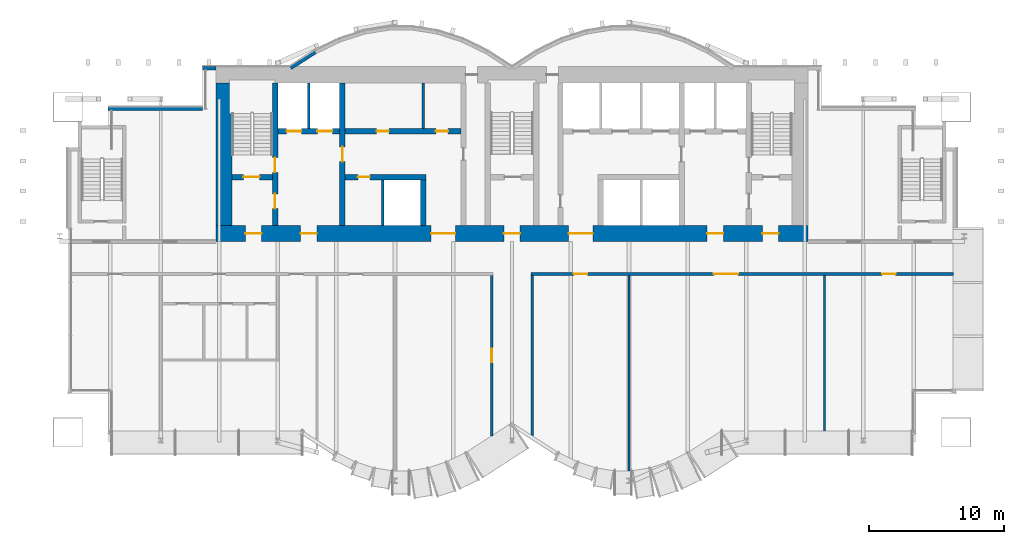
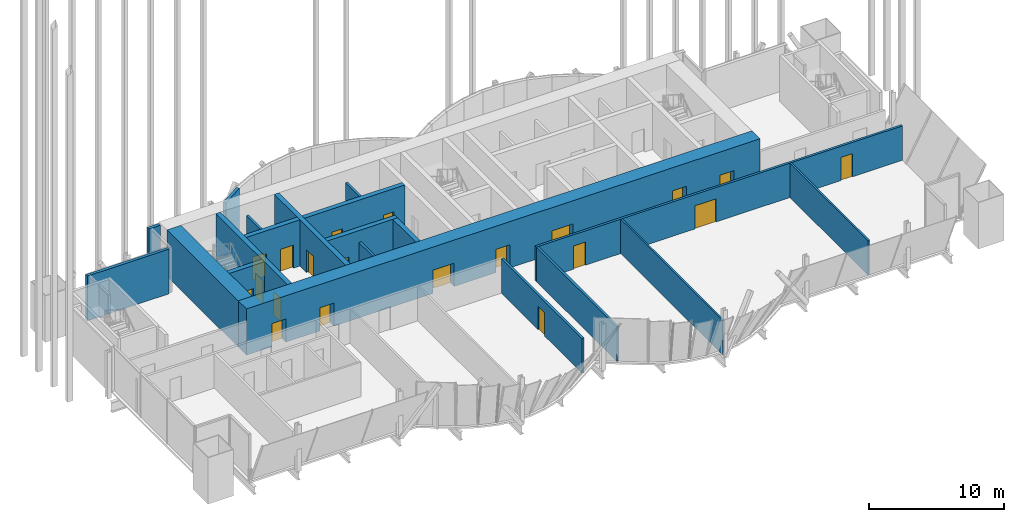
# One storey, part 24 of 28: 20 doors, 19 walls, 20 openings.
"""IFC4 building model written with IfcOpenShell, lengths in metres."""

from ifc_helpers import new_model, si_unit, direction, frame, frame_2d, origin, place, context, subcontext, project, spatial, rectangle, extrude, material, layer, layer_set, layer_usage, type_object, element, fill, save


model = new_model("IFC4")

# Units and contexts
model_context = context("Model", 3, precision=1e-05, world=origin(), true_north=direction((0.0, 1.0)))
body_context = subcontext(model_context, "Body", "Model", "MODEL_VIEW")
ifc_project = project(units=[si_unit("LENGTHUNIT", "METRE"), si_unit("AREAUNIT", "SQUARE_METRE"), si_unit("VOLUMEUNIT", "CUBIC_METRE"), si_unit("PLANEANGLEUNIT", "RADIAN"), si_unit("MASSUNIT", "GRAM", prefix="KILO")], contexts=[model_context])

# Site, building, storey
site_placement = place(None, origin())
site = spatial("IfcSite", under=ifc_project, at=site_placement, CompositionType="ELEMENT")
building_placement = place(site_placement, origin())
building = spatial("IfcBuilding", under=site, at=building_placement, Name="Bicima Exchange Tower", CompositionType="ELEMENT")
storey_placement = place(building_placement, frame((0.0, 0.0, 241.39990234375)))
storey = spatial("IfcBuildingStorey", under=building, at=storey_placement, Name="L54", CompositionType="ELEMENT", Elevation=241.39990234375)

# Walls
ifc_material_1 = material(Name="Gypsum board partition")
ifc_layer_1 = layer(ifc_material_1, 0.199951171875)
ifc_layer_set_1 = layer_set([ifc_layer_1], Name="Gypsum board partition")
wall_type_1 = type_object("IfcWallType", Name="Fire-rated gypsum partition 200 EI120", PredefinedType="PARTITIONING", material=ifc_layer_set_1)
for number, where, z_axis, x_axis, name in (
    (1, (-15.10009765625, -4.60009765625, 0.0), (0.0, 0.0, 1.0), (0.0, 1.0, 0.0), "partition wall 9"),
    (2, (-9.60009765625, -11.800048828125, 0.0), (0.0, 0.0, 1.0), (0.0, 1.0, 0.0), "partition wall 11"),
):
    element("IfcWall", number, at=place(storey_placement, frame(where, z_axis=z_axis, x_axis=x_axis)), inside=storey, type_object=wall_type_1, Name=name, PredefinedType="PARTITIONING", context=body_context, shape_type="SweptSolid", body=[
        extrude(rectangle(XDim=3.400146484375, YDim=0.199951171875, at=frame_2d((1.7001953125, 0.0))), origin(), (0.0, 0.0, 1.0), 3.1181640625),
    ])

# Wall, openings, doors
ifc_layer_2 = layer(ifc_material_1, 0.199951171875)
ifc_layer_set_2 = layer_set([ifc_layer_2], Name="Gypsum board partition")
wall_type_2 = type_object("IfcWallType", Name="Fire-rated gypsum partition 200 EI60", PredefinedType="PARTITIONING", material=ifc_layer_set_2)
wall_1_placement = place(storey_placement, frame((1.39990234375, -15.39990234375, 0.0), z_axis=(0.0, 0.0, 1.0), x_axis=(1.0, 0.0, 0.0)))
wall_1 = element("IfcWall", 3, at=wall_1_placement, inside=storey, type_object=wall_type_2, Name="partition wall 4", PredefinedType="PARTITIONING", context=body_context, shape_type="SweptSolid", body=[
    extrude(rectangle(XDim=31.39013671875, YDim=0.199951171875, at=frame_2d((15.695068359375, 0.0))), origin(), (0.0, 0.0, 1.0), 3.1181640625),
])
opening_1_placement = place(wall_1_placement, frame((3.199951171875, 0.0, 0.0)))
opening_1 = element("IfcOpeningElement", 4, at=opening_1_placement, cuts=wall_1, Name="Opening L54-015", PredefinedType="OPENING", context=body_context, shape_type="SweptSolid", body=[
    extrude(rectangle(XDim=1.0, YDim=2.10009765625, at=frame_2d((0.5, 1.050048828125))), frame((0.0, 0.11181640625, 0.0), z_axis=(0.0, -1.0, 0.0), x_axis=(1.0, 0.0, 0.0)), (0.0, 0.0, 1.0), 0.223876953125),
])
opening_2_placement = place(wall_1_placement, frame((13.60009765625, 0.0, 0.0)))
opening_2 = element("IfcOpeningElement", 5, at=opening_2_placement, cuts=wall_1, Name="Opening L54-016", PredefinedType="OPENING", context=body_context, shape_type="SweptSolid", body=[
    extrude(rectangle(XDim=1.800048828125, YDim=2.10009765625, at=frame_2d((0.89990234375, 1.050048828125))), frame((0.0, 0.11181640625, 0.0), z_axis=(0.0, -1.0, 0.0), x_axis=(1.0, 0.0, 0.0)), (0.0, 0.0, 1.0), 0.223876953125),
])
opening_3_placement = place(wall_1_placement, frame((26.10009765625, 0.0, 0.0)))
opening_3 = element("IfcOpeningElement", 6, at=opening_3_placement, cuts=wall_1, Name="Opening L54-017", PredefinedType="OPENING", context=body_context, shape_type="SweptSolid", body=[
    extrude(rectangle(XDim=1.0, YDim=2.10009765625, at=frame_2d((0.5, 1.050048828125))), frame((0.0, 0.11181640625, 0.0), z_axis=(0.0, -1.0, 0.0), x_axis=(1.0, 0.0, 0.0)), (0.0, 0.0, 1.0), 0.223876953125),
])
ifc_material_2 = material(Name="Steel fire door leaf", Category="steel")
door_type_1 = type_object("IfcDoorType", Name="Door 1000 swing FD30S", OperationType="SINGLE_SWING_LEFT", PredefinedType="DOOR", material=ifc_material_2)
door_1_placement = place(opening_1_placement, frame((1.0, 0.0, 0.0), z_axis=(0.0, 0.0, 1.0), x_axis=(-1.0, 0.0, 0.0)))
door_1 = element("IfcDoor", 7, at=door_1_placement, inside=storey, type_object=door_type_1, Name="Door", OperationType="SINGLE_SWING_RIGHT", OverallHeight=2.10009765625, OverallWidth=1.0, PredefinedType="DOOR", context=body_context, shape_type="SweptSolid", body=[
    extrude(rectangle(XDim=1.0, YDim=2.10009765625, at=frame_2d((0.5, 1.050048828125))), frame((0.0, 0.02490234375, 0.0), z_axis=(0.0, -1.0, 0.0), x_axis=(1.0, 0.0, 0.0)), (0.0, 0.0, 1.0), 0.050048828125),
])
fill(opening_1, door_1)
door_2_placement = place(opening_3_placement, frame((1.0, 0.0, 0.0), z_axis=(0.0, 0.0, 1.0), x_axis=(-1.0, 0.0, 0.0)))
door_2 = element("IfcDoor", 8, at=door_2_placement, inside=storey, type_object=door_type_1, Name="Door", OperationType="SINGLE_SWING_RIGHT", OverallHeight=2.10009765625, OverallWidth=1.0, PredefinedType="DOOR", context=body_context, shape_type="SweptSolid", body=[
    extrude(rectangle(XDim=1.0, YDim=2.10009765625, at=frame_2d((0.5, 1.050048828125))), frame((0.0, 0.02490234375, 0.0), z_axis=(0.0, -1.0, 0.0), x_axis=(1.0, 0.0, 0.0)), (0.0, 0.0, 1.0), 0.050048828125),
])
fill(opening_3, door_2)
door_type_2 = type_object("IfcDoorType", Name="Door 1800 double swing FD30S", OperationType="DOUBLE_DOOR_SINGLE_SWING", PredefinedType="DOOR", material=ifc_material_2)
door_3_placement = place(opening_2_placement, origin())
door_3 = element("IfcDoor", 9, at=door_3_placement, inside=storey, type_object=door_type_2, Name="Door", OperationType="SINGLE_SWING_LEFT", OverallHeight=2.10009765625, OverallWidth=1.800048828125, PredefinedType="DOOR", context=body_context, shape_type="SweptSolid", body=[
    extrude(rectangle(XDim=1.800048828125, YDim=2.10009765625, at=frame_2d((0.89990234375, 1.050048828125))), frame((0.0, 0.02490234375, 0.0), z_axis=(0.0, -1.0, 0.0), x_axis=(1.0, 0.0, 0.0)), (0.0, 0.0, 1.0), 0.050048828125),
])
fill(opening_2, door_3)

# Wall, opening, door
wall_2_placement = place(storey_placement, frame((-1.5, -27.43994140625, 0.0), z_axis=(0.0, 0.0, 1.0), x_axis=(0.0, 1.0, 0.0)))
wall_2 = element("IfcWall", 10, at=wall_2_placement, inside=storey, type_object=wall_type_2, Name="partition wall 22", PredefinedType="PARTITIONING", context=body_context, shape_type="SweptSolid", body=[
    extrude(rectangle(XDim=11.93994140625, YDim=0.199951171875, at=frame_2d((5.969970703125, 0.0))), origin(), (0.0, 0.0, 1.0), 3.1181640625),
])
opening_4_placement = place(wall_2_placement, frame((5.5, 0.0, 0.0)))
opening_4 = element("IfcOpeningElement", 11, at=opening_4_placement, cuts=wall_2, Name="Opening L54-014", PredefinedType="OPENING", context=body_context, shape_type="SweptSolid", body=[
    extrude(rectangle(XDim=1.0, YDim=2.10009765625, at=frame_2d((0.5, 1.050048828125))), frame((0.0, 0.11181640625, 0.0), z_axis=(0.0, -1.0, 0.0), x_axis=(1.0, 0.0, 0.0)), (0.0, 0.0, 1.0), 0.223876953125),
])
door_4_placement = place(opening_4_placement, origin())
door_4 = element("IfcDoor", 12, at=door_4_placement, inside=storey, type_object=door_type_1, Name="Door", OperationType="SINGLE_SWING_LEFT", OverallHeight=2.10009765625, OverallWidth=1.0, PredefinedType="DOOR", context=body_context, shape_type="SweptSolid", body=[
    extrude(rectangle(XDim=1.0, YDim=2.10009765625, at=frame_2d((0.5, 1.050048828125))), frame((0.0, 0.02490234375, 0.0), z_axis=(0.0, -1.0, 0.0), x_axis=(1.0, 0.0, 0.0)), (0.0, 0.0, 1.0), 0.050048828125),
])
fill(opening_4, door_4)

# Walls
wall_3_placement = place(storey_placement, frame((1.5, -27.43994140625, 0.0), z_axis=(0.0, 0.0, 1.0), x_axis=(0.0, 1.0, 0.0)))
element("IfcWall", 13, at=wall_3_placement, inside=storey, type_object=wall_type_2, Name="partition wall 23", PredefinedType="PARTITIONING", context=body_context, shape_type="SweptSolid", body=[
    extrude(rectangle(XDim=11.93994140625, YDim=0.199951171875, at=frame_2d((5.969970703125, 0.0))), origin(), (0.0, 0.0, 1.0), 3.1181640625),
])
wall_4_placement = place(storey_placement, frame((-6.60009765625, -4.60009765625, 0.0), z_axis=(0.0, 0.0, 1.0), x_axis=(0.0, 1.0, 0.0)))
element("IfcWall", 14, at=wall_4_placement, inside=storey, type_object=wall_type_2, Name="partition wall 13", PredefinedType="PARTITIONING", context=body_context, shape_type="SweptSolid", body=[
    extrude(rectangle(XDim=3.400146484375, YDim=0.199951171875, at=frame_2d((1.7001953125, 0.0))), origin(), (0.0, 0.0, 1.0), 3.1181640625),
])
ifc_layer_3 = layer(ifc_material_1, 0.14990234375)
ifc_layer_set_3 = layer_set([ifc_layer_3], Name="Gypsum board partition")
wall_type_3 = type_object("IfcWallType", Name="Gypsum partition 150", PredefinedType="PARTITIONING", material=ifc_layer_set_3)
wall_5_placement = place(storey_placement, frame((8.699951171875, -30.63330078125, 0.0), z_axis=(0.0, 0.0, 1.0), x_axis=(0.0, 1.0, 0.0)))
element("IfcWall", 15, at=wall_5_placement, inside=storey, type_object=wall_type_3, Name="partition wall 24", PredefinedType="PARTITIONING", context=body_context, shape_type="SweptSolid", body=[
    extrude(rectangle(XDim=15.13330078125, YDim=0.14990234375, at=frame_2d((7.566650390625, 0.0))), origin(), (0.0, 0.0, 1.0), 3.1181640625),
])
wall_6_placement = place(storey_placement, frame((23.199951171875, -27.080078125, 0.0), z_axis=(0.0, 0.0, 1.0), x_axis=(0.0, 1.0, 0.0)))
element("IfcWall", 16, at=wall_6_placement, inside=storey, type_object=wall_type_3, Name="partition wall 25", PredefinedType="PARTITIONING", context=body_context, shape_type="SweptSolid", body=[
    extrude(rectangle(XDim=11.580078125, YDim=0.14990234375, at=frame_2d((5.7900390625, 0.0))), origin(), (0.0, 0.0, 1.0), 3.1181640625),
])

# Wall, openings, doors
ifc_material_3 = material(Name="Concrete C40/50", Category="concrete")
ifc_layer_4 = layer(ifc_material_3, 1.199951171875)
ifc_layer_set_4 = layer_set([ifc_layer_4], Name="Concrete C40/50")
wall_type_4 = type_object("IfcWallType", Name="RC core wall 1200 C40/50", PredefinedType="SHEAR", material=ifc_layer_set_4)
wall_7_placement = place(storey_placement, frame((-22.0, -12.39990234375, 0.0), z_axis=(0.0, 0.0, 1.0), x_axis=(1.0, 0.0, 0.0)))
wall_7 = element("IfcWall", 17, at=wall_7_placement, inside=storey, type_object=wall_type_4, Name="Core wall south", PredefinedType="SHEAR", context=body_context, shape_type="SweptSolid", body=[
    extrude(rectangle(XDim=44.0, YDim=1.199951171875, at=frame_2d((22.0, 0.0))), origin(), (0.0, 0.0, 1.0), 4.2001953125),
])
opening_5_placement = place(wall_7_placement, frame((2.199951171875, 0.0, 0.0)))
opening_5 = element("IfcOpeningElement", 18, at=opening_5_placement, cuts=wall_7, Name="Opening L54-C17", PredefinedType="OPENING", context=body_context, shape_type="SweptSolid", body=[
    extrude(rectangle(XDim=1.199951171875, YDim=2.10009765625, at=frame_2d((0.60009765625, 1.050048828125))), frame((0.0, 0.61181640625, 0.0), z_axis=(0.0, -1.0, 0.0), x_axis=(1.0, 0.0, 0.0)), (0.0, 0.0, 1.0), 1.223876953125),
])
opening_6_placement = place(wall_7_placement, frame((21.39990234375, 0.0, 0.0)))
opening_6 = element("IfcOpeningElement", 19, at=opening_6_placement, cuts=wall_7, Name="Opening L54-C18", PredefinedType="OPENING", context=body_context, shape_type="SweptSolid", body=[
    extrude(rectangle(XDim=1.199951171875, YDim=2.10009765625, at=frame_2d((0.60009765625, 1.050048828125))), frame((0.0, 0.61181640625, 0.0), z_axis=(0.0, -1.0, 0.0), x_axis=(1.0, 0.0, 0.0)), (0.0, 0.0, 1.0), 1.223876953125),
])
opening_7_placement = place(wall_7_placement, frame((40.60009765625, 0.0, 0.0)))
opening_7 = element("IfcOpeningElement", 20, at=opening_7_placement, cuts=wall_7, Name="Opening L54-C19", PredefinedType="OPENING", context=body_context, shape_type="SweptSolid", body=[
    extrude(rectangle(XDim=1.199951171875, YDim=2.10009765625, at=frame_2d((0.60009765625, 1.050048828125))), frame((0.0, 0.61181640625, 0.0), z_axis=(0.0, -1.0, 0.0), x_axis=(1.0, 0.0, 0.0)), (0.0, 0.0, 1.0), 1.223876953125),
])
opening_8_placement = place(wall_7_placement, frame((16.0, 0.0, 0.0)))
opening_8 = element("IfcOpeningElement", 21, at=opening_8_placement, cuts=wall_7, Name="Opening L54-C20", PredefinedType="OPENING", context=body_context, shape_type="SweptSolid", body=[
    extrude(rectangle(XDim=1.800048828125, YDim=2.10009765625, at=frame_2d((0.89990234375, 1.050048828125))), frame((0.0, 0.61181640625, 0.0), z_axis=(0.0, -1.0, 0.0), x_axis=(1.0, 0.0, 0.0)), (0.0, 0.0, 1.0), 1.223876953125),
])
opening_9_placement = place(wall_7_placement, frame((6.300048828125, 0.0, 0.0)))
opening_9 = element("IfcOpeningElement", 22, at=opening_9_placement, cuts=wall_7, Name="Opening L54-C21", PredefinedType="OPENING", context=body_context, shape_type="SweptSolid", body=[
    extrude(rectangle(XDim=1.199951171875, YDim=2.10009765625, at=frame_2d((0.60009765625, 1.050048828125))), frame((0.0, 0.61181640625, 0.0), z_axis=(0.0, -1.0, 0.0), x_axis=(1.0, 0.0, 0.0)), (0.0, 0.0, 1.0), 1.223876953125),
])
opening_10_placement = place(wall_7_placement, frame((26.199951171875, 0.0, 0.0)))
opening_10 = element("IfcOpeningElement", 23, at=opening_10_placement, cuts=wall_7, Name="Opening L54-C22", PredefinedType="OPENING", context=body_context, shape_type="SweptSolid", body=[
    extrude(rectangle(XDim=1.800048828125, YDim=2.10009765625, at=frame_2d((0.89990234375, 1.050048828125))), frame((0.0, 0.61181640625, 0.0), z_axis=(0.0, -1.0, 0.0), x_axis=(1.0, 0.0, 0.0)), (0.0, 0.0, 1.0), 1.223876953125),
])
opening_11_placement = place(wall_7_placement, frame((36.5, 0.0, 0.0)))
opening_11 = element("IfcOpeningElement", 24, at=opening_11_placement, cuts=wall_7, Name="Opening L54-C23", PredefinedType="OPENING", context=body_context, shape_type="SweptSolid", body=[
    extrude(rectangle(XDim=1.199951171875, YDim=2.10009765625, at=frame_2d((0.60009765625, 1.050048828125))), frame((0.0, 0.61181640625, 0.0), z_axis=(0.0, -1.0, 0.0), x_axis=(1.0, 0.0, 0.0)), (0.0, 0.0, 1.0), 1.223876953125),
])
door_type_3 = type_object("IfcDoorType", Name="Door 1200 swing FD60S", OperationType="SINGLE_SWING_LEFT", PredefinedType="DOOR", material=ifc_material_2)
door_5_placement = place(opening_5_placement, frame((1.199951171875, 0.0, 0.0), z_axis=(0.0, 0.0, 1.0), x_axis=(-1.0, 0.0, 0.0)))
door_5 = element("IfcDoor", 25, at=door_5_placement, inside=storey, type_object=door_type_3, Name="Core door", OperationType="SINGLE_SWING_RIGHT", OverallHeight=2.10009765625, OverallWidth=1.199951171875, PredefinedType="DOOR", context=body_context, shape_type="SweptSolid", body=[
    extrude(rectangle(XDim=1.199951171875, YDim=2.10009765625, at=frame_2d((0.60009765625, 1.050048828125))), frame((0.0, 0.02490234375, 0.0), z_axis=(0.0, -1.0, 0.0), x_axis=(1.0, 0.0, 0.0)), (0.0, 0.0, 1.0), 0.050048828125),
])
fill(opening_5, door_5)
door_6_placement = place(opening_6_placement, frame((1.199951171875, 0.0, 0.0), z_axis=(0.0, 0.0, 1.0), x_axis=(-1.0, 0.0, 0.0)))
door_6 = element("IfcDoor", 26, at=door_6_placement, inside=storey, type_object=door_type_3, Name="Core door", OperationType="SINGLE_SWING_RIGHT", OverallHeight=2.10009765625, OverallWidth=1.199951171875, PredefinedType="DOOR", context=body_context, shape_type="SweptSolid", body=[
    extrude(rectangle(XDim=1.199951171875, YDim=2.10009765625, at=frame_2d((0.60009765625, 1.050048828125))), frame((0.0, 0.02490234375, 0.0), z_axis=(0.0, -1.0, 0.0), x_axis=(1.0, 0.0, 0.0)), (0.0, 0.0, 1.0), 0.050048828125),
])
fill(opening_6, door_6)
door_7_placement = place(opening_7_placement, frame((1.199951171875, 0.0, 0.0), z_axis=(0.0, 0.0, 1.0), x_axis=(-1.0, 0.0, 0.0)))
door_7 = element("IfcDoor", 27, at=door_7_placement, inside=storey, type_object=door_type_3, Name="Core door", OperationType="SINGLE_SWING_RIGHT", OverallHeight=2.10009765625, OverallWidth=1.199951171875, PredefinedType="DOOR", context=body_context, shape_type="SweptSolid", body=[
    extrude(rectangle(XDim=1.199951171875, YDim=2.10009765625, at=frame_2d((0.60009765625, 1.050048828125))), frame((0.0, 0.02490234375, 0.0), z_axis=(0.0, -1.0, 0.0), x_axis=(1.0, 0.0, 0.0)), (0.0, 0.0, 1.0), 0.050048828125),
])
fill(opening_7, door_7)
door_8_placement = place(opening_9_placement, frame((1.199951171875, 0.0, 0.0), z_axis=(0.0, 0.0, 1.0), x_axis=(-1.0, 0.0, 0.0)))
door_8 = element("IfcDoor", 28, at=door_8_placement, inside=storey, type_object=door_type_3, Name="Core door", OperationType="SINGLE_SWING_RIGHT", OverallHeight=2.10009765625, OverallWidth=1.199951171875, PredefinedType="DOOR", context=body_context, shape_type="SweptSolid", body=[
    extrude(rectangle(XDim=1.199951171875, YDim=2.10009765625, at=frame_2d((0.60009765625, 1.050048828125))), frame((0.0, 0.02490234375, 0.0), z_axis=(0.0, -1.0, 0.0), x_axis=(1.0, 0.0, 0.0)), (0.0, 0.0, 1.0), 0.050048828125),
])
fill(opening_9, door_8)
door_9_placement = place(opening_11_placement, frame((1.199951171875, 0.0, 0.0), z_axis=(0.0, 0.0, 1.0), x_axis=(-1.0, 0.0, 0.0)))
door_9 = element("IfcDoor", 29, at=door_9_placement, inside=storey, type_object=door_type_3, Name="Core door", OperationType="SINGLE_SWING_RIGHT", OverallHeight=2.10009765625, OverallWidth=1.199951171875, PredefinedType="DOOR", context=body_context, shape_type="SweptSolid", body=[
    extrude(rectangle(XDim=1.199951171875, YDim=2.10009765625, at=frame_2d((0.60009765625, 1.050048828125))), frame((0.0, 0.02490234375, 0.0), z_axis=(0.0, -1.0, 0.0), x_axis=(1.0, 0.0, 0.0)), (0.0, 0.0, 1.0), 0.050048828125),
])
fill(opening_11, door_9)
door_10_placement = place(opening_8_placement, origin())
door_10 = element("IfcDoor", 30, at=door_10_placement, inside=storey, type_object=door_type_2, Name="Core door", OperationType="SINGLE_SWING_LEFT", OverallHeight=2.10009765625, OverallWidth=1.800048828125, PredefinedType="DOOR", context=body_context, shape_type="SweptSolid", body=[
    extrude(rectangle(XDim=1.800048828125, YDim=2.10009765625, at=frame_2d((0.89990234375, 1.050048828125))), frame((0.0, 0.02490234375, 0.0), z_axis=(0.0, -1.0, 0.0), x_axis=(1.0, 0.0, 0.0)), (0.0, 0.0, 1.0), 0.050048828125),
])
fill(opening_8, door_10)
door_11_placement = place(opening_10_placement, origin())
door_11 = element("IfcDoor", 31, at=door_11_placement, inside=storey, type_object=door_type_2, Name="Core door", OperationType="SINGLE_SWING_LEFT", OverallHeight=2.10009765625, OverallWidth=1.800048828125, PredefinedType="DOOR", context=body_context, shape_type="SweptSolid", body=[
    extrude(rectangle(XDim=1.800048828125, YDim=2.10009765625, at=frame_2d((0.89990234375, 1.050048828125))), frame((0.0, 0.02490234375, 0.0), z_axis=(0.0, -1.0, 0.0), x_axis=(1.0, 0.0, 0.0)), (0.0, 0.0, 1.0), 0.050048828125),
])
fill(opening_10, door_11)

# Wall
wall_8_placement = place(storey_placement, frame((-21.39990234375, -11.800048828125, 0.0), z_axis=(0.0, 0.0, 1.0), x_axis=(0.0, 1.0, 0.0)))
element("IfcWall", 32, at=wall_8_placement, inside=storey, type_object=wall_type_4, Name="Core wall west", PredefinedType="SHEAR", context=body_context, shape_type="SweptSolid", body=[
    extrude(rectangle(XDim=10.60009765625, YDim=1.199951171875, at=frame_2d((5.300048828125, 0.0))), origin(), (0.0, 0.0, 1.0), 4.2001953125),
])

# Wall, opening, door
ifc_layer_5 = layer(ifc_material_3, 0.39990234375)
ifc_layer_set_5 = layer_set([ifc_layer_5], Name="Concrete C40/50")
wall_type_5 = type_object("IfcWallType", Name="RC core wall 400 C40/50", PredefinedType="SHEAR", material=ifc_layer_set_5)
wall_9_placement = place(storey_placement, frame((-12.39990234375, -8.199951171875, 0.0), z_axis=(0.0, 0.0, 1.0), x_axis=(1.0, 0.0, 0.0)))
wall_9 = element("IfcWall", 33, at=wall_9_placement, inside=storey, type_object=wall_type_5, Name="shear wall 2", PredefinedType="SHEAR", context=body_context, shape_type="SweptSolid", body=[
    extrude(rectangle(XDim=6.0, YDim=0.39990234375, at=frame_2d((3.0, 0.0))), origin(), (0.0, 0.0, 1.0), 4.2001953125),
])
opening_12_placement = place(wall_9_placement, frame((0.949951171875, 0.0, 0.0)))
opening_12 = element("IfcOpeningElement", 34, at=opening_12_placement, cuts=wall_9, Name="Opening L54-C14", PredefinedType="OPENING", context=body_context, shape_type="SweptSolid", body=[
    extrude(rectangle(XDim=0.89990234375, YDim=2.10009765625, at=frame_2d((0.449951171875, 1.050048828125))), frame((0.0, 0.2119140625, 0.0), z_axis=(0.0, -1.0, 0.0), x_axis=(1.0, 0.0, 0.0)), (0.0, 0.0, 1.0), 0.423828125),
])
door_type_4 = type_object("IfcDoorType", Name="Door 900 swing FD30S", OperationType="SINGLE_SWING_LEFT", PredefinedType="DOOR", material=ifc_material_2)
door_12_placement = place(opening_12_placement, frame((0.89990234375, 0.0, 0.0), z_axis=(0.0, 0.0, 1.0), x_axis=(-1.0, 0.0, 0.0)))
door_12 = element("IfcDoor", 35, at=door_12_placement, inside=storey, type_object=door_type_4, Name="Core door", OperationType="SINGLE_SWING_LEFT", OverallHeight=2.10009765625, OverallWidth=0.89990234375, PredefinedType="DOOR", context=body_context, shape_type="SweptSolid", body=[
    extrude(rectangle(XDim=0.89990234375, YDim=2.10009765625, at=frame_2d((0.449951171875, 1.050048828125))), frame((0.0, 0.02490234375, 0.0), z_axis=(0.0, -1.0, 0.0), x_axis=(1.0, 0.0, 0.0)), (0.0, 0.0, 1.0), 0.050048828125),
])
fill(opening_12, door_12)

# Wall, openings, doors
wall_10_placement = place(storey_placement, frame((-17.39990234375, -4.800048828125, 0.0), z_axis=(0.0, 0.0, 1.0), x_axis=(1.0, 0.0, 0.0)))
wall_10 = element("IfcWall", 36, at=wall_10_placement, inside=storey, type_object=wall_type_5, Name="shear wall 6", PredefinedType="SHEAR", context=body_context, shape_type="SweptSolid", body=[
    extrude(rectangle(XDim=13.599853515625, YDim=0.39990234375, at=frame_2d((6.7998046875, 0.0))), origin(), (0.0, 0.0, 1.0), 4.2001953125),
])
opening_13_placement = place(wall_10_placement, frame((0.64990234375, 0.0, 0.0)))
opening_13 = element("IfcOpeningElement", 37, at=opening_13_placement, cuts=wall_10, Name="Opening LD-FF1-L54", PredefinedType="OPENING", context=body_context, shape_type="SweptSolid", body=[
    extrude(rectangle(XDim=1.10009765625, YDim=2.10009765625, at=frame_2d((0.550048828125, 1.050048828125))), frame((0.0, 0.2119140625, 0.0), z_axis=(0.0, -1.0, 0.0), x_axis=(1.0, 0.0, 0.0)), (0.0, 0.0, 1.0), 0.423828125),
])
opening_14_placement = place(wall_10_placement, frame((2.949951171875, 0.0, 0.0)))
opening_14 = element("IfcOpeningElement", 38, at=opening_14_placement, cuts=wall_10, Name="Opening LD-FF3-L54", PredefinedType="OPENING", context=body_context, shape_type="SweptSolid", body=[
    extrude(rectangle(XDim=1.10009765625, YDim=2.10009765625, at=frame_2d((0.550048828125, 1.050048828125))), frame((0.0, 0.2119140625, 0.0), z_axis=(0.0, -1.0, 0.0), x_axis=(1.0, 0.0, 0.0)), (0.0, 0.0, 1.0), 0.423828125),
])
opening_15_placement = place(wall_10_placement, frame((7.35009765625, 0.0, 0.0)))
opening_15 = element("IfcOpeningElement", 39, at=opening_15_placement, cuts=wall_10, Name="Opening L54-C12", PredefinedType="OPENING", context=body_context, shape_type="SweptSolid", body=[
    extrude(rectangle(XDim=0.89990234375, YDim=2.10009765625, at=frame_2d((0.449951171875, 1.050048828125))), frame((0.0, 0.2119140625, 0.0), z_axis=(0.0, -1.0, 0.0), x_axis=(1.0, 0.0, 0.0)), (0.0, 0.0, 1.0), 0.423828125),
])
opening_16_placement = place(wall_10_placement, frame((11.75, 0.0, 0.0)))
opening_16 = element("IfcOpeningElement", 40, at=opening_16_placement, cuts=wall_10, Name="Opening L54-C13", PredefinedType="OPENING", context=body_context, shape_type="SweptSolid", body=[
    extrude(rectangle(XDim=0.89990234375, YDim=2.10009765625, at=frame_2d((0.449951171875, 1.050048828125))), frame((0.0, 0.2119140625, 0.0), z_axis=(0.0, -1.0, 0.0), x_axis=(1.0, 0.0, 0.0)), (0.0, 0.0, 1.0), 0.423828125),
])
door_13_placement = place(opening_15_placement, origin())
door_13 = element("IfcDoor", 41, at=door_13_placement, inside=storey, type_object=door_type_4, Name="Core door", OperationType="SINGLE_SWING_RIGHT", OverallHeight=2.10009765625, OverallWidth=0.89990234375, PredefinedType="DOOR", context=body_context, shape_type="SweptSolid", body=[
    extrude(rectangle(XDim=0.89990234375, YDim=2.10009765625, at=frame_2d((0.449951171875, 1.050048828125))), frame((0.0, 0.02490234375, 0.0), z_axis=(0.0, -1.0, 0.0), x_axis=(1.0, 0.0, 0.0)), (0.0, 0.0, 1.0), 0.050048828125),
])
fill(opening_15, door_13)
door_14_placement = place(opening_16_placement, origin())
door_14 = element("IfcDoor", 42, at=door_14_placement, inside=storey, type_object=door_type_4, Name="Core door", OperationType="SINGLE_SWING_LEFT", OverallHeight=2.10009765625, OverallWidth=0.89990234375, PredefinedType="DOOR", context=body_context, shape_type="SweptSolid", body=[
    extrude(rectangle(XDim=0.89990234375, YDim=2.10009765625, at=frame_2d((0.449951171875, 1.050048828125))), frame((0.0, 0.02490234375, 0.0), z_axis=(0.0, -1.0, 0.0), x_axis=(1.0, 0.0, 0.0)), (0.0, 0.0, 1.0), 0.050048828125),
])
fill(opening_16, door_14)
ifc_material_4 = material(Name="Stainless steel", Category="steel")
door_type_5 = type_object("IfcDoorType", Name="Lift landing door 1100 sliding", OperationType="DOUBLE_DOOR_SLIDING", PredefinedType="DOOR", material=ifc_material_4)
door_15_placement = place(opening_13_placement, origin())
door_15 = element("IfcDoor", 43, at=door_15_placement, inside=storey, type_object=door_type_5, Name="Lift landing door FF1", OperationType="DOUBLE_DOOR_SLIDING", OverallHeight=2.10009765625, OverallWidth=1.10009765625, PredefinedType="DOOR", context=body_context, shape_type="SweptSolid", body=[
    extrude(rectangle(XDim=1.10009765625, YDim=2.10009765625, at=frame_2d((0.550048828125, 1.050048828125))), frame((0.0, 0.02490234375, 0.0), z_axis=(0.0, -1.0, 0.0), x_axis=(1.0, 0.0, 0.0)), (0.0, 0.0, 1.0), 0.050048828125),
])
fill(opening_13, door_15)
door_16_placement = place(opening_14_placement, origin())
door_16 = element("IfcDoor", 44, at=door_16_placement, inside=storey, type_object=door_type_5, Name="Lift landing door FF3", OperationType="DOUBLE_DOOR_SLIDING", OverallHeight=2.10009765625, OverallWidth=1.10009765625, PredefinedType="DOOR", context=body_context, shape_type="SweptSolid", body=[
    extrude(rectangle(XDim=1.10009765625, YDim=2.10009765625, at=frame_2d((0.550048828125, 1.050048828125))), frame((0.0, 0.02490234375, 0.0), z_axis=(0.0, -1.0, 0.0), x_axis=(1.0, 0.0, 0.0)), (0.0, 0.0, 1.0), 0.050048828125),
])
fill(opening_14, door_16)

# Wall, opening, door
wall_11_placement = place(storey_placement, frame((-12.60009765625, -11.800048828125, 0.0), z_axis=(0.0, 0.0, 1.0), x_axis=(0.0, 1.0, 0.0)))
wall_11 = element("IfcWall", 45, at=wall_11_placement, inside=storey, type_object=wall_type_5, Name="shear wall 10", PredefinedType="SHEAR", context=body_context, shape_type="SweptSolid", body=[
    extrude(rectangle(XDim=10.60009765625, YDim=0.39990234375, at=frame_2d((5.300048828125, 0.0))), origin(), (0.0, 0.0, 1.0), 4.2001953125),
])
opening_17_placement = place(wall_11_placement, frame((4.75, 0.0, 0.0)))
opening_17 = element("IfcOpeningElement", 46, at=opening_17_placement, cuts=wall_11, Name="Opening L54-C07", PredefinedType="OPENING", context=body_context, shape_type="SweptSolid", body=[
    extrude(rectangle(XDim=1.10009765625, YDim=2.10009765625, at=frame_2d((0.550048828125, 1.050048828125))), frame((0.0, 0.2119140625, 0.0), z_axis=(0.0, -1.0, 0.0), x_axis=(1.0, 0.0, 0.0)), (0.0, 0.0, 1.0), 0.423828125),
])
door_type_6 = type_object("IfcDoorType", Name="Door 1100 swing FD60S", OperationType="SINGLE_SWING_LEFT", PredefinedType="DOOR", material=ifc_material_2)
door_17_placement = place(opening_17_placement, origin())
door_17 = element("IfcDoor", 47, at=door_17_placement, inside=storey, type_object=door_type_6, Name="Core door", OperationType="SINGLE_SWING_LEFT", OverallHeight=2.10009765625, OverallWidth=1.10009765625, PredefinedType="DOOR", context=body_context, shape_type="SweptSolid", body=[
    extrude(rectangle(XDim=1.10009765625, YDim=2.10009765625, at=frame_2d((0.550048828125, 1.050048828125))), frame((0.0, 0.02490234375, 0.0), z_axis=(0.0, -1.0, 0.0), x_axis=(1.0, 0.0, 0.0)), (0.0, 0.0, 1.0), 0.050048828125),
])
fill(opening_17, door_17)

# Wall
wall_12_placement = place(storey_placement, frame((-6.60009765625, -11.800048828125, 0.0), z_axis=(0.0, 0.0, 1.0), x_axis=(0.0, 1.0, 0.0)))
element("IfcWall", 48, at=wall_12_placement, inside=storey, type_object=wall_type_5, Name="shear wall 12", PredefinedType="SHEAR", context=body_context, shape_type="SweptSolid", body=[
    extrude(rectangle(XDim=3.400146484375, YDim=0.39990234375, at=frame_2d((1.7001953125, 0.0))), origin(), (0.0, 0.0, 1.0), 4.2001953125),
])

# Wall, opening, door
ifc_material_5 = material(Name="Concrete C50/60", Category="concrete")
ifc_layer_6 = layer(ifc_material_5, 0.39990234375)
ifc_layer_set_6 = layer_set([ifc_layer_6], Name="Concrete C50/60")
wall_type_6 = type_object("IfcWallType", Name="RC core wall 400 C50/60", PredefinedType="SHEAR", material=ifc_layer_set_6)
wall_13_placement = place(storey_placement, frame((-20.800048828125, -8.199951171875, 0.0), z_axis=(0.0, 0.0, 1.0), x_axis=(1.0, 0.0, 0.0)))
wall_13 = element("IfcWall", 49, at=wall_13_placement, inside=storey, type_object=wall_type_6, Name="stair wall 1", PredefinedType="SHEAR", context=body_context, shape_type="SweptSolid", body=[
    extrude(rectangle(XDim=3.0, YDim=0.39990234375, at=frame_2d((1.5, 0.0))), origin(), (0.0, 0.0, 1.0), 4.2001953125),
])
opening_18_placement = place(wall_13_placement, frame((0.85009765625, 0.0, 0.0)))
opening_18 = element("IfcOpeningElement", 50, at=opening_18_placement, cuts=wall_13, Name="Opening L54-C01", PredefinedType="OPENING", context=body_context, shape_type="SweptSolid", body=[
    extrude(rectangle(XDim=1.199951171875, YDim=2.10009765625, at=frame_2d((0.60009765625, 1.050048828125))), frame((0.0, 0.2119140625, 0.0), z_axis=(0.0, -1.0, 0.0), x_axis=(1.0, 0.0, 0.0)), (0.0, 0.0, 1.0), 0.423828125),
])
door_18_placement = place(opening_18_placement, origin())
door_18 = element("IfcDoor", 51, at=door_18_placement, inside=storey, type_object=door_type_3, Name="Core door", OperationType="SINGLE_SWING_LEFT", OverallHeight=2.10009765625, OverallWidth=1.199951171875, PredefinedType="DOOR", context=body_context, shape_type="SweptSolid", body=[
    extrude(rectangle(XDim=1.199951171875, YDim=2.10009765625, at=frame_2d((0.60009765625, 1.050048828125))), frame((0.0, 0.02490234375, 0.0), z_axis=(0.0, -1.0, 0.0), x_axis=(1.0, 0.0, 0.0)), (0.0, 0.0, 1.0), 0.050048828125),
])
fill(opening_18, door_18)

# Wall, openings, doors
wall_14_placement = place(storey_placement, frame((-17.60009765625, -11.800048828125, 0.0), z_axis=(0.0, 0.0, 1.0), x_axis=(0.0, 1.0, 0.0)))
wall_14 = element("IfcWall", 52, at=wall_14_placement, inside=storey, type_object=wall_type_6, Name="stair wall 8", PredefinedType="SHEAR", context=body_context, shape_type="SweptSolid", body=[
    extrude(rectangle(XDim=10.60009765625, YDim=0.39990234375, at=frame_2d((5.300048828125, 0.0))), origin(), (0.0, 0.0, 1.0), 4.2001953125),
])
opening_19_placement = place(wall_14_placement, frame((1.25, 0.0, 0.0)))
opening_19 = element("IfcOpeningElement", 53, at=opening_19_placement, cuts=wall_14, Name="Opening L54-C02", PredefinedType="OPENING", context=body_context, shape_type="SweptSolid", body=[
    extrude(rectangle(XDim=1.10009765625, YDim=2.10009765625, at=frame_2d((0.550048828125, 1.050048828125))), frame((0.0, 0.2119140625, 0.0), z_axis=(0.0, -1.0, 0.0), x_axis=(1.0, 0.0, 0.0)), (0.0, 0.0, 1.0), 0.423828125),
])
opening_20_placement = place(wall_14_placement, frame((3.949951171875, 0.0, 0.0)))
opening_20 = element("IfcOpeningElement", 54, at=opening_20_placement, cuts=wall_14, Name="Opening L54-C06", PredefinedType="OPENING", context=body_context, shape_type="SweptSolid", body=[
    extrude(rectangle(XDim=1.10009765625, YDim=2.10009765625, at=frame_2d((0.550048828125, 1.050048828125))), frame((0.0, 0.2119140625, 0.0), z_axis=(0.0, -1.0, 0.0), x_axis=(1.0, 0.0, 0.0)), (0.0, 0.0, 1.0), 0.423828125),
])
door_19_placement = place(opening_19_placement, frame((1.10009765625, 0.0, 0.0), z_axis=(0.0, 0.0, 1.0), x_axis=(-1.0, 0.0, 0.0)))
door_19 = element("IfcDoor", 55, at=door_19_placement, inside=storey, type_object=door_type_6, Name="Core door", OperationType="SINGLE_SWING_LEFT", OverallHeight=2.10009765625, OverallWidth=1.10009765625, PredefinedType="DOOR", context=body_context, shape_type="SweptSolid", body=[
    extrude(rectangle(XDim=1.10009765625, YDim=2.10009765625, at=frame_2d((0.550048828125, 1.050048828125))), frame((0.0, 0.02490234375, 0.0), z_axis=(0.0, -1.0, 0.0), x_axis=(1.0, 0.0, 0.0)), (0.0, 0.0, 1.0), 0.050048828125),
])
fill(opening_19, door_19)
door_20_placement = place(opening_20_placement, frame((1.10009765625, 0.0, 0.0), z_axis=(0.0, 0.0, 1.0), x_axis=(-1.0, 0.0, 0.0)))
door_20 = element("IfcDoor", 56, at=door_20_placement, inside=storey, type_object=door_type_6, Name="Core door", OperationType="SINGLE_SWING_LEFT", OverallHeight=2.10009765625, OverallWidth=1.10009765625, PredefinedType="DOOR", context=body_context, shape_type="SweptSolid", body=[
    extrude(rectangle(XDim=1.10009765625, YDim=2.10009765625, at=frame_2d((0.550048828125, 1.050048828125))), frame((0.0, 0.02490234375, 0.0), z_axis=(0.0, -1.0, 0.0), x_axis=(1.0, 0.0, 0.0)), (0.0, 0.0, 1.0), 0.050048828125),
])
fill(opening_20, door_20)

# Walls
ifc_layer_7 = layer(ifc_material_3, 0.25)
ifc_layer_set_7 = layer_set([ifc_layer_7], Name="Concrete C40/50")
ifc_layer_usage = layer_usage(ifc_layer_set_7, "AXIS2", "POSITIVE", -0.125)
wall_type_7 = type_object("IfcWallType", Name="Rear backup wall 250", PredefinedType="STANDARD", material=ifc_layer_set_7)
wall_15_placement = place(storey_placement, frame((-14.598876953125, 1.080078125, 0.0), z_axis=(0.0, 0.0, 1.0), x_axis=(-0.83981312244, -0.542875602121, 0.0)))
element("IfcWall", 57, at=wall_15_placement, inside=storey, type_object=wall_type_7, material=ifc_layer_usage, Name="Rear backup wall L54 25", PredefinedType="STANDARD", context=body_context, shape_type="SweptSolid", body=[
    extrude(rectangle(XDim=2.182861328125, YDim=0.25, at=frame_2d((1.09130859375, 0.0))), origin(), (0.0, 0.0, 1.0), 4.050048828125),
])
wall_16_placement = place(storey_placement, frame((-22.0, -0.125, 0.0), z_axis=(0.0, 0.0, 1.0), x_axis=(-1.0, 0.0, 0.0)))
element("IfcWall", 58, at=wall_16_placement, inside=storey, type_object=wall_type_7, material=ifc_layer_usage, Name="Rear backup wall L54 26", PredefinedType="STANDARD", context=body_context, shape_type="SweptSolid", body=[
    extrude(rectangle(XDim=1.0, YDim=0.25, at=frame_2d((0.5, 0.0))), origin(), (0.0, 0.0, 1.0), 4.050048828125),
])
wall_17_placement = place(storey_placement, frame((-23.0, -3.125, 0.0), z_axis=(0.0, 0.0, 1.0), x_axis=(-1.0, 0.0, 0.0)))
element("IfcWall", 59, at=wall_17_placement, inside=storey, type_object=wall_type_7, material=ifc_layer_usage, Name="Rear backup wall L54 28", PredefinedType="STANDARD", context=body_context, shape_type="SweptSolid", body=[
    extrude(rectangle(XDim=7.0, YDim=0.25, at=frame_2d((3.5, 0.0))), origin(), (0.0, 0.0, 1.0), 4.050048828125),
])

save(model, "model.ifc")
